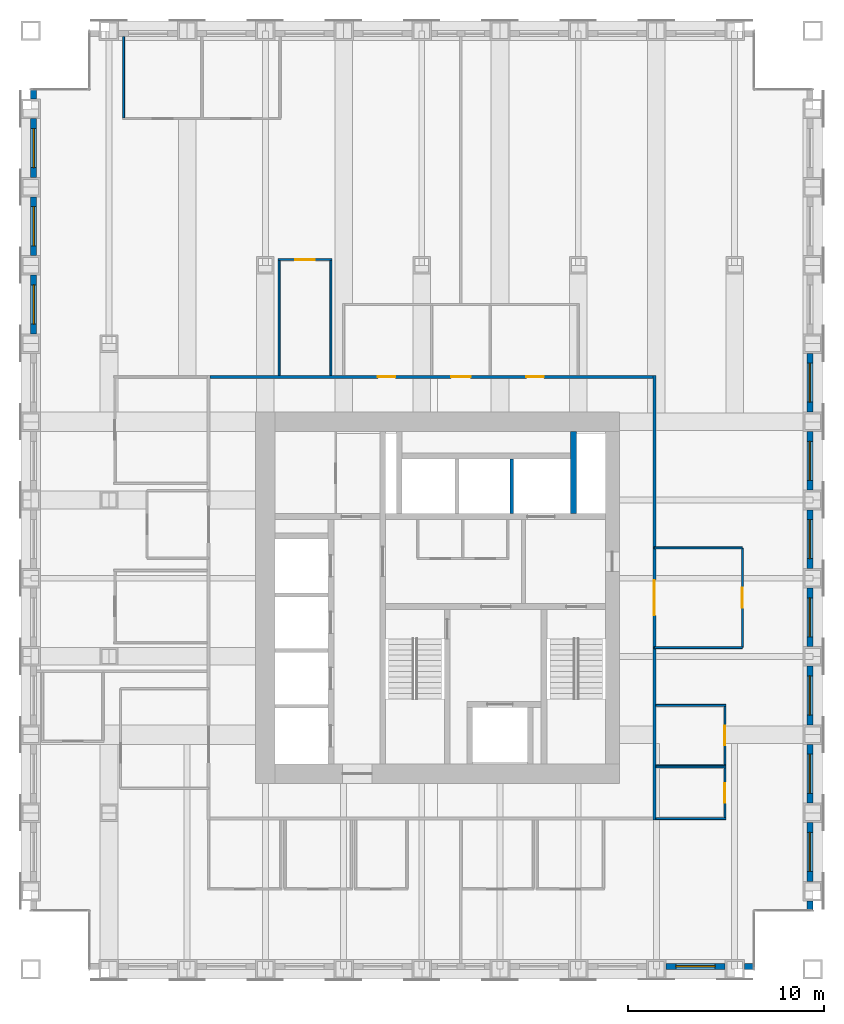
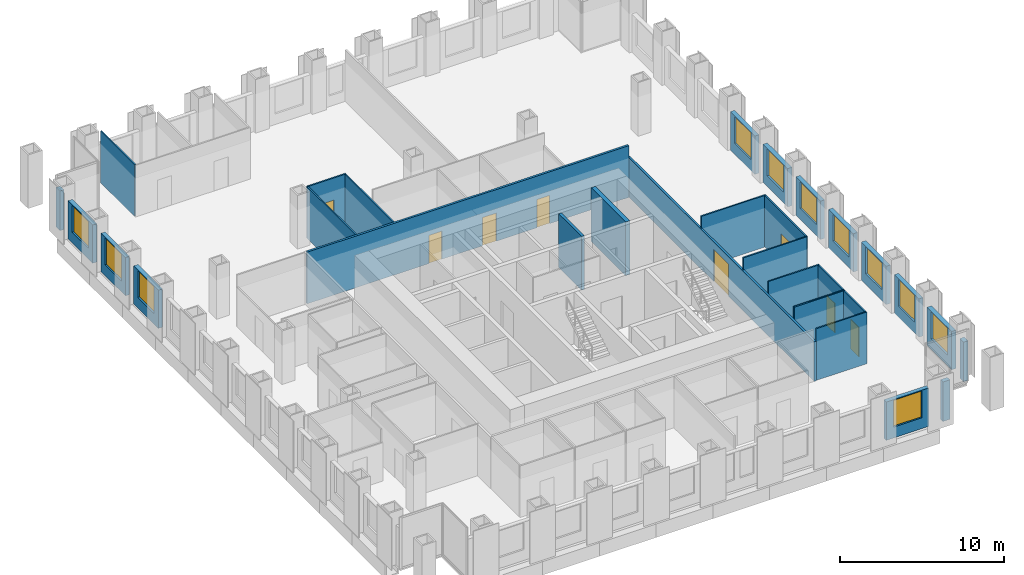
# One storey, part 11 of 14: 31 walls, 11 windows, 8 doors, 19 openings.
"""IFC4 building model written with IfcOpenShell, lengths in metres."""

from ifc_helpers import new_model, si_unit, direction, frame, frame_2d, origin, place, context, subcontext, project, spatial, rectangle, extrude, material, layer, layer_set, type_object, element, fill, save


model = new_model("IFC4")

# Units and contexts
model_context = context("Model", 3, precision=1e-05, world=origin(), true_north=direction((0.0, 1.0)))
body_context = subcontext(model_context, "Body", "Model", "MODEL_VIEW")
ifc_project = project(units=[si_unit("LENGTHUNIT", "METRE"), si_unit("AREAUNIT", "SQUARE_METRE"), si_unit("VOLUMEUNIT", "CUBIC_METRE"), si_unit("PLANEANGLEUNIT", "RADIAN"), si_unit("MASSUNIT", "GRAM", prefix="KILO")], contexts=[model_context])

# Site, building, storey
site_placement = place(None, origin())
site = spatial("IfcSite", under=ifc_project, at=site_placement, CompositionType="ELEMENT")
building_placement = place(site_placement, origin())
building = spatial("IfcBuilding", under=site, at=building_placement, Name="Rimbunsela Tower", CompositionType="ELEMENT")
storey_placement = place(building_placement, frame((0.0, 0.0, 183.800048828125)))
storey = spatial("IfcBuildingStorey", under=building, at=storey_placement, Name="L44", CompositionType="ELEMENT", Elevation=183.800048828125)

# Walls
ifc_material_1 = material(Name="Concrete fc' 80 MPa", Category="concrete")
ifc_layer_1 = layer(ifc_material_1, 0.300048828125)
ifc_layer_set_1 = layer_set([ifc_layer_1], Name="Core internal wall 300")
wall_type_1 = type_object("IfcWallType", Name="Core internal wall 300", PredefinedType="SHEAR", material=ifc_layer_set_1)
wall_1_placement = place(storey_placement, frame((33.75, 31.300048828125, -0.150146484375), z_axis=(0.0, 0.0, 1.0), x_axis=(0.0, 1.0, 0.0)))
element("IfcWall", 1, at=wall_1_placement, inside=storey, type_object=wall_type_1, Name="Riser wall", PredefinedType="SHEAR", context=body_context, shape_type="SweptSolid", body=[
    extrude(rectangle(XDim=4.199951171875, YDim=0.300048828125, at=frame_2d((2.10009765625, 0.0))), origin(), (0.0, 0.0, 1.0), 4.0),
])
ifc_material_2 = material(Name="Concrete blockwork", Category="masonry")
ifc_layer_2 = layer(ifc_material_2, 0.199951171875)
ifc_layer_set_2 = layer_set([ifc_layer_2], Name="Lift shaft wall 200")
wall_type_2 = type_object("IfcWallType", Name="Lift shaft wall 200", PredefinedType="SOLIDWALL", material=ifc_layer_set_2)
wall_2_placement = place(storey_placement, frame((30.60009765625, 31.300048828125, -0.150146484375), z_axis=(0.0, 0.0, 1.0), x_axis=(0.0, 1.0, 0.0)))
element("IfcWall", 2, at=wall_2_placement, inside=storey, type_object=wall_type_2, Name="Lift shaft separation", PredefinedType="SOLIDWALL", context=body_context, shape_type="SweptSolid", body=[
    extrude(rectangle(XDim=2.800048828125, YDim=0.199951171875, at=frame_2d((1.39990234375, 0.0))), origin(), (0.0, 0.0, 1.0), 4.0),
])
ifc_material_3 = material(Name="Gypsum board on steel studs", Category="steel")
ifc_layer_3 = layer(ifc_material_3, 0.10009765625)
ifc_layer_set_3 = layer_set([ifc_layer_3], Name="Office partition 100")
wall_type_3 = type_object("IfcWallType", Name="Office partition 100", PredefinedType="PARTITIONING", material=ifc_layer_set_3)
for number, where, z_axis, x_axis, name in (
    (3, (37.97509765625, 15.699951171875, 0.0), (0.0, 0.0, 1.0), (1.0, 0.0, 0.0), "Office partition"),
    (4, (37.97509765625, 18.35009765625, 0.0), (0.0, 0.0, 1.0), (1.0, 0.0, 0.0), "Office partition"),
    (5, (37.97509765625, 18.39990234375, 0.0), (0.0, 0.0, 1.0), (1.0, 0.0, 0.0), "Office partition"),
    (6, (37.97509765625, 21.5, 0.0), (0.0, 0.0, 1.0), (1.0, 0.0, 0.0), "Office partition"),
):
    element("IfcWall", number, at=place(storey_placement, frame(where, z_axis=z_axis, x_axis=x_axis)), inside=storey, type_object=wall_type_3, Name=name, PredefinedType="PARTITIONING", context=body_context, shape_type="SweptSolid", body=[
        extrude(rectangle(XDim=3.574951171875, YDim=0.10009765625, at=frame_2d((1.78759765625, 0.0))), origin(), (0.0, 0.0, 1.0), 3.849853515625),
    ])

# Wall, opening, door
wall_3_placement = place(storey_placement, frame((18.64990234375, 44.300048828125, 0.0), z_axis=(0.0, 0.0, 1.0), x_axis=(1.0, 0.0, 0.0)))
wall_3 = element("IfcWall", 7, at=wall_3_placement, inside=storey, type_object=wall_type_3, Name="Office partition", PredefinedType="PARTITIONING", context=body_context, shape_type="SweptSolid", body=[
    extrude(rectangle(XDim=2.75, YDim=0.10009765625, at=frame_2d((1.375, 0.0))), origin(), (0.0, 0.0, 1.0), 3.849853515625),
])
opening_1_placement = place(wall_3_placement, frame((0.875, 0.0, 0.0)))
opening_1 = element("IfcOpeningElement", 8, at=opening_1_placement, cuts=wall_3, Name="Opening D16", PredefinedType="OPENING", context=body_context, shape_type="SweptSolid", body=[
    extrude(rectangle(XDim=1.0, YDim=2.199951171875, at=frame_2d((0.5, 1.10009765625))), frame((0.0, 0.06005859375, 0.0), z_axis=(0.0, -1.0, 0.0), x_axis=(1.0, 0.0, 0.0)), (0.0, 0.0, 1.0), 0.1201171875),
])
ifc_material_4 = material(Name="Timber door", Category="wood")
door_type_1 = type_object("IfcDoorType", Name="Office door 1000", OperationType="SINGLE_SWING_LEFT", PredefinedType="DOOR", material=ifc_material_4)
door_1_placement = place(opening_1_placement, origin())
door_1 = element("IfcDoor", 9, at=door_1_placement, inside=storey, type_object=door_type_1, Name="Office door", OperationType="SINGLE_SWING_LEFT", OverallHeight=2.199951171875, OverallWidth=1.0, PredefinedType="DOOR", context=body_context, shape_type="SweptSolid", body=[
    extrude(rectangle(XDim=1.0, YDim=2.199951171875, at=frame_2d((0.5, 1.10009765625))), frame((0.0, 0.02490234375, 0.0), z_axis=(0.0, -1.0, 0.0), x_axis=(1.0, 0.0, 0.0)), (0.0, 0.0, 1.0), 0.050048828125),
])
fill(opening_1, door_1)

# Walls
wall_4_placement = place(storey_placement, frame((10.75, 51.550048828125, 0.0), z_axis=(0.0, 0.0, 1.0), x_axis=(0.0, 1.0, 0.0)))
element("IfcWall", 10, at=wall_4_placement, inside=storey, type_object=wall_type_3, Name="Office partition", PredefinedType="PARTITIONING", context=body_context, shape_type="SweptSolid", body=[
    extrude(rectangle(XDim=4.14990234375, YDim=0.10009765625, at=frame_2d((2.074951171875, 0.0))), origin(), (0.0, 0.0, 1.0), 3.849853515625),
])
for number, where, z_axis, x_axis, name in (
    (11, (18.699951171875, 38.375, 0.0), (0.0, 0.0, 1.0), (0.0, 1.0, 0.0), "Office partition"),
    (12, (21.35009765625, 38.375, 0.0), (0.0, 0.0, 1.0), (0.0, 1.0, 0.0), "Office partition"),
):
    element("IfcWall", number, at=place(storey_placement, frame(where, z_axis=z_axis, x_axis=x_axis)), inside=storey, type_object=wall_type_3, Name=name, PredefinedType="PARTITIONING", context=body_context, shape_type="SweptSolid", body=[
        extrude(rectangle(XDim=5.875, YDim=0.10009765625, at=frame_2d((2.9375, 0.0))), origin(), (0.0, 0.0, 1.0), 3.849853515625),
    ])

# Wall, opening, door
wall_5_placement = place(storey_placement, frame((41.5, 15.75, 0.0), z_axis=(0.0, 0.0, 1.0), x_axis=(0.0, 1.0, 0.0)))
wall_5 = element("IfcWall", 13, at=wall_5_placement, inside=storey, type_object=wall_type_3, Name="Office partition", PredefinedType="PARTITIONING", context=body_context, shape_type="SweptSolid", body=[
    extrude(rectangle(XDim=2.550048828125, YDim=0.10009765625, at=frame_2d((1.27490234375, 0.0))), origin(), (0.0, 0.0, 1.0), 3.849853515625),
])
opening_2_placement = place(wall_5_placement, frame((0.77490234375, 0.0, 0.0)))
opening_2 = element("IfcOpeningElement", 14, at=opening_2_placement, cuts=wall_5, Name="Opening D16", PredefinedType="OPENING", context=body_context, shape_type="SweptSolid", body=[
    extrude(rectangle(XDim=1.0, YDim=2.199951171875, at=frame_2d((0.5, 1.10009765625))), frame((0.0, 0.06005859375, 0.0), z_axis=(0.0, -1.0, 0.0), x_axis=(1.0, 0.0, 0.0)), (0.0, 0.0, 1.0), 0.1201171875),
])
door_2_placement = place(opening_2_placement, origin())
door_2 = element("IfcDoor", 15, at=door_2_placement, inside=storey, type_object=door_type_1, Name="Office door", OperationType="SINGLE_SWING_LEFT", OverallHeight=2.199951171875, OverallWidth=1.0, PredefinedType="DOOR", context=body_context, shape_type="SweptSolid", body=[
    extrude(rectangle(XDim=1.0, YDim=2.199951171875, at=frame_2d((0.5, 1.10009765625))), frame((0.0, 0.02490234375, 0.0), z_axis=(0.0, -1.0, 0.0), x_axis=(1.0, 0.0, 0.0)), (0.0, 0.0, 1.0), 0.050048828125),
])
fill(opening_2, door_2)

wall_6_placement = place(storey_placement, frame((41.5, 18.449951171875, 0.0), z_axis=(0.0, 0.0, 1.0), x_axis=(0.0, 1.0, 0.0)))
wall_6 = element("IfcWall", 16, at=wall_6_placement, inside=storey, type_object=wall_type_3, Name="Office partition", PredefinedType="PARTITIONING", context=body_context, shape_type="SweptSolid", body=[
    extrude(rectangle(XDim=3.0, YDim=0.10009765625, at=frame_2d((1.5, 0.0))), origin(), (0.0, 0.0, 1.0), 3.849853515625),
])
opening_3_placement = place(wall_6_placement, frame((1.0, 0.0, 0.0)))
opening_3 = element("IfcOpeningElement", 17, at=opening_3_placement, cuts=wall_6, Name="Opening D16", PredefinedType="OPENING", context=body_context, shape_type="SweptSolid", body=[
    extrude(rectangle(XDim=1.0, YDim=2.199951171875, at=frame_2d((0.5, 1.10009765625))), frame((0.0, 0.06005859375, 0.0), z_axis=(0.0, -1.0, 0.0), x_axis=(1.0, 0.0, 0.0)), (0.0, 0.0, 1.0), 0.1201171875),
])
door_3_placement = place(opening_3_placement, origin())
door_3 = element("IfcDoor", 18, at=door_3_placement, inside=storey, type_object=door_type_1, Name="Office door", OperationType="SINGLE_SWING_LEFT", OverallHeight=2.199951171875, OverallWidth=1.0, PredefinedType="DOOR", context=body_context, shape_type="SweptSolid", body=[
    extrude(rectangle(XDim=1.0, YDim=2.199951171875, at=frame_2d((0.5, 1.10009765625))), frame((0.0, 0.02490234375, 0.0), z_axis=(0.0, -1.0, 0.0), x_axis=(1.0, 0.0, 0.0)), (0.0, 0.0, 1.0), 0.050048828125),
])
fill(opening_3, door_3)

# Wall
wall_7_placement = place(storey_placement, frame((37.89990234375, 24.449951171875, 0.0), z_axis=(0.0, 0.0, 1.0), x_axis=(1.0, 0.0, 0.0)))
element("IfcWall", 19, at=wall_7_placement, inside=storey, type_object=wall_type_3, Name="Office partition", PredefinedType="PARTITIONING", context=body_context, shape_type="SweptSolid", body=[
    extrude(rectangle(XDim=4.5, YDim=0.10009765625, at=frame_2d((2.25, 0.0))), origin(), (0.0, 0.0, 1.0), 3.849853515625),
])

# Wall, opening, door
wall_8_placement = place(storey_placement, frame((42.39990234375, 24.449951171875, 0.0), z_axis=(0.0, 0.0, 1.0), x_axis=(0.0, 1.0, 0.0)))
wall_8 = element("IfcWall", 20, at=wall_8_placement, inside=storey, type_object=wall_type_3, Name="Office partition", PredefinedType="PARTITIONING", context=body_context, shape_type="SweptSolid", body=[
    extrude(rectangle(XDim=5.10009765625, YDim=0.10009765625, at=frame_2d((2.550048828125, 0.0))), origin(), (0.0, 0.0, 1.0), 3.849853515625),
])
opening_4_placement = place(wall_8_placement, frame((2.050048828125, 0.0, 0.0)))
opening_4 = element("IfcOpeningElement", 21, at=opening_4_placement, cuts=wall_8, Name="Opening D17", PredefinedType="OPENING", context=body_context, shape_type="SweptSolid", body=[
    extrude(rectangle(XDim=1.0, YDim=2.199951171875, at=frame_2d((0.5, 1.10009765625))), frame((0.0, 0.06005859375, 0.0), z_axis=(0.0, -1.0, 0.0), x_axis=(1.0, 0.0, 0.0)), (0.0, 0.0, 1.0), 0.1201171875),
])
ifc_material_5 = material(Name="Glazed aluminium door", Category="aluminium")
door_type_2 = type_object("IfcDoorType", Name="Meeting room door 1000 glazed", OperationType="SINGLE_SWING_RIGHT", PredefinedType="DOOR", material=ifc_material_5)
door_4_placement = place(opening_4_placement, origin())
door_4 = element("IfcDoor", 22, at=door_4_placement, inside=storey, type_object=door_type_2, Name="Reception door", OperationType="SINGLE_SWING_RIGHT", OverallHeight=2.199951171875, OverallWidth=1.0, PredefinedType="DOOR", context=body_context, shape_type="SweptSolid", body=[
    extrude(rectangle(XDim=1.0, YDim=2.199951171875, at=frame_2d((0.5, 1.10009765625))), frame((0.0, 0.02490234375, 0.0), z_axis=(0.0, -1.0, 0.0), x_axis=(1.0, 0.0, 0.0)), (0.0, 0.0, 1.0), 0.050048828125),
])
fill(opening_4, door_4)

# Wall
wall_9_placement = place(storey_placement, frame((42.39990234375, 29.550048828125, 0.0), z_axis=(0.0, 0.0, 1.0), x_axis=(-1.0, 0.0, 0.0)))
element("IfcWall", 23, at=wall_9_placement, inside=storey, type_object=wall_type_3, Name="Office partition", PredefinedType="PARTITIONING", context=body_context, shape_type="SweptSolid", body=[
    extrude(rectangle(XDim=4.5, YDim=0.10009765625, at=frame_2d((2.25, 0.0))), origin(), (0.0, 0.0, 1.0), 3.849853515625),
])

# Wall, opening, window
ifc_material_6 = material(Name="Precast concrete fc' 35 MPa", Category="concrete")
ifc_layer_4 = layer(ifc_material_6, 0.300048828125)
ifc_layer_set_4 = layer_set([ifc_layer_4], Name="Precast concrete fc' 35 MPa")
wall_type_4 = type_object("IfcWallType", Name="Precast facade panel 300", PredefinedType="ELEMENTEDWALL", material=ifc_layer_set_4)
wall_10_placement = place(storey_placement, frame((38.5, 8.14990234375, 0.0), z_axis=(0.0, 0.0, 1.0), x_axis=(1.0, 0.0, 0.0)))
wall_10 = element("IfcWall", 24, at=wall_10_placement, inside=storey, type_object=wall_type_4, Name="Facade panel S L44", PredefinedType="ELEMENTEDWALL", context=body_context, shape_type="SweptSolid", body=[
    extrude(rectangle(XDim=3.0, YDim=0.300048828125, at=frame_2d((1.5, 0.0))), origin(), (0.0, 0.0, 1.0), 2.849853515625),
])
opening_5_placement = place(wall_10_placement, frame((0.5, 0.0, 0.800048828125)))
opening_5 = element("IfcOpeningElement", 25, at=opening_5_placement, cuts=wall_10, Name="Opening W1", PredefinedType="OPENING", context=body_context, shape_type="SweptSolid", body=[
    extrude(rectangle(XDim=2.0, YDim=2.0, at=frame_2d((1.0, 1.0))), frame((0.0, 0.159912109375, 0.0), z_axis=(0.0, -1.0, 0.0), x_axis=(1.0, 0.0, 0.0)), (0.0, 0.0, 1.0), 0.320068359375),
])
ifc_material_7 = material(Name="Clear glass in aluminium frame", Category="aluminium")
window_type = type_object("IfcWindowType", Name="Window W1 2000x2000", PartitioningType="DOUBLE_PANEL_VERTICAL", PredefinedType="WINDOW", material=ifc_material_7)
window_1_placement = place(opening_5_placement, origin())
window_1 = element("IfcWindow", 26, at=window_1_placement, inside=storey, type_object=window_type, Name="Window L44", OverallHeight=2.0, OverallWidth=2.0, PartitioningType="SINGLE_PANEL", PredefinedType="WINDOW", context=body_context, shape_type="SweptSolid", body=[
    extrude(rectangle(XDim=2.0, YDim=2.0, at=frame_2d((1.0, 1.0))), frame((0.0, 0.030029296875, 0.0), z_axis=(0.0, -1.0, 0.0), x_axis=(1.0, 0.0, 0.0)), (0.0, 0.0, 1.0), 0.06005859375),
])
fill(opening_5, window_1)

# Walls
for number, where, z_axis, x_axis, name in (
    (27, (42.5, 8.14990234375, 0.0), (0.0, 0.0, 1.0), (1.0, 0.0, 0.0), "Facade panel S L44"),
    (28, (45.85009765625, 11.030029296875, 0.0), (0.0, 0.0, 1.0), (0.0, 1.0, 0.0), "Facade panel E L44"),
):
    element("IfcWall", number, at=place(storey_placement, frame(where, z_axis=z_axis, x_axis=x_axis)), inside=storey, type_object=wall_type_4, Name=name, PredefinedType="ELEMENTEDWALL", context=body_context, shape_type="SweptSolid", body=[
        extrude(rectangle(XDim=0.469970703125, YDim=0.300048828125, at=frame_2d((0.23486328125, 0.0))), origin(), (0.0, 0.0, 1.0), 2.949951171875),
    ])

# Wall, opening, window
wall_11_placement = place(storey_placement, frame((45.85009765625, 12.5, 0.0), z_axis=(0.0, 0.0, 1.0), x_axis=(0.0, 1.0, 0.0)))
wall_11 = element("IfcWall", 29, at=wall_11_placement, inside=storey, type_object=wall_type_4, Name="Facade panel E L44", PredefinedType="ELEMENTEDWALL", context=body_context, shape_type="SweptSolid", body=[
    extrude(rectangle(XDim=3.0, YDim=0.300048828125, at=frame_2d((1.5, 0.0))), origin(), (0.0, 0.0, 1.0), 2.849853515625),
])
opening_6_placement = place(wall_11_placement, frame((0.5, 0.0, 0.800048828125)))
opening_6 = element("IfcOpeningElement", 30, at=opening_6_placement, cuts=wall_11, Name="Opening W1", PredefinedType="OPENING", context=body_context, shape_type="SweptSolid", body=[
    extrude(rectangle(XDim=2.0, YDim=2.0, at=frame_2d((1.0, 1.0))), frame((0.0, 0.159912109375, 0.0), z_axis=(0.0, -1.0, 0.0), x_axis=(1.0, 0.0, 0.0)), (0.0, 0.0, 1.0), 0.320068359375),
])
window_2_placement = place(opening_6_placement, origin())
window_2 = element("IfcWindow", 31, at=window_2_placement, inside=storey, type_object=window_type, Name="Window L44", OverallHeight=2.0, OverallWidth=2.0, PartitioningType="SINGLE_PANEL", PredefinedType="WINDOW", context=body_context, shape_type="SweptSolid", body=[
    extrude(rectangle(XDim=2.0, YDim=2.0, at=frame_2d((1.0, 1.0))), frame((0.0, 0.030029296875, 0.0), z_axis=(0.0, -1.0, 0.0), x_axis=(1.0, 0.0, 0.0)), (0.0, 0.0, 1.0), 0.06005859375),
])
fill(opening_6, window_2)

wall_12_placement = place(storey_placement, frame((45.85009765625, 16.5, 0.0), z_axis=(0.0, 0.0, 1.0), x_axis=(0.0, 1.0, 0.0)))
wall_12 = element("IfcWall", 32, at=wall_12_placement, inside=storey, type_object=wall_type_4, Name="Facade panel E L44", PredefinedType="ELEMENTEDWALL", context=body_context, shape_type="SweptSolid", body=[
    extrude(rectangle(XDim=3.0, YDim=0.300048828125, at=frame_2d((1.5, 0.0))), origin(), (0.0, 0.0, 1.0), 2.849853515625),
])
opening_7_placement = place(wall_12_placement, frame((0.5, 0.0, 0.800048828125)))
opening_7 = element("IfcOpeningElement", 33, at=opening_7_placement, cuts=wall_12, Name="Opening W1", PredefinedType="OPENING", context=body_context, shape_type="SweptSolid", body=[
    extrude(rectangle(XDim=2.0, YDim=2.0, at=frame_2d((1.0, 1.0))), frame((0.0, 0.159912109375, 0.0), z_axis=(0.0, -1.0, 0.0), x_axis=(1.0, 0.0, 0.0)), (0.0, 0.0, 1.0), 0.320068359375),
])
window_3_placement = place(opening_7_placement, origin())
window_3 = element("IfcWindow", 34, at=window_3_placement, inside=storey, type_object=window_type, Name="Window L44", OverallHeight=2.0, OverallWidth=2.0, PartitioningType="SINGLE_PANEL", PredefinedType="WINDOW", context=body_context, shape_type="SweptSolid", body=[
    extrude(rectangle(XDim=2.0, YDim=2.0, at=frame_2d((1.0, 1.0))), frame((0.0, 0.030029296875, 0.0), z_axis=(0.0, -1.0, 0.0), x_axis=(1.0, 0.0, 0.0)), (0.0, 0.0, 1.0), 0.06005859375),
])
fill(opening_7, window_3)

wall_13_placement = place(storey_placement, frame((45.85009765625, 20.5, 0.0), z_axis=(0.0, 0.0, 1.0), x_axis=(0.0, 1.0, 0.0)))
wall_13 = element("IfcWall", 35, at=wall_13_placement, inside=storey, type_object=wall_type_4, Name="Facade panel E L44", PredefinedType="ELEMENTEDWALL", context=body_context, shape_type="SweptSolid", body=[
    extrude(rectangle(XDim=3.0, YDim=0.300048828125, at=frame_2d((1.5, 0.0))), origin(), (0.0, 0.0, 1.0), 2.849853515625),
])
opening_8_placement = place(wall_13_placement, frame((0.5, 0.0, 0.800048828125)))
opening_8 = element("IfcOpeningElement", 36, at=opening_8_placement, cuts=wall_13, Name="Opening W1", PredefinedType="OPENING", context=body_context, shape_type="SweptSolid", body=[
    extrude(rectangle(XDim=2.0, YDim=2.0, at=frame_2d((1.0, 1.0))), frame((0.0, 0.159912109375, 0.0), z_axis=(0.0, -1.0, 0.0), x_axis=(1.0, 0.0, 0.0)), (0.0, 0.0, 1.0), 0.320068359375),
])
window_4_placement = place(opening_8_placement, origin())
window_4 = element("IfcWindow", 37, at=window_4_placement, inside=storey, type_object=window_type, Name="Window L44", OverallHeight=2.0, OverallWidth=2.0, PartitioningType="SINGLE_PANEL", PredefinedType="WINDOW", context=body_context, shape_type="SweptSolid", body=[
    extrude(rectangle(XDim=2.0, YDim=2.0, at=frame_2d((1.0, 1.0))), frame((0.0, 0.030029296875, 0.0), z_axis=(0.0, -1.0, 0.0), x_axis=(1.0, 0.0, 0.0)), (0.0, 0.0, 1.0), 0.06005859375),
])
fill(opening_8, window_4)

wall_14_placement = place(storey_placement, frame((45.85009765625, 24.5, 0.0), z_axis=(0.0, 0.0, 1.0), x_axis=(0.0, 1.0, 0.0)))
wall_14 = element("IfcWall", 38, at=wall_14_placement, inside=storey, type_object=wall_type_4, Name="Facade panel E L44", PredefinedType="ELEMENTEDWALL", context=body_context, shape_type="SweptSolid", body=[
    extrude(rectangle(XDim=3.0, YDim=0.300048828125, at=frame_2d((1.5, 0.0))), origin(), (0.0, 0.0, 1.0), 2.849853515625),
])
opening_9_placement = place(wall_14_placement, frame((0.5, 0.0, 0.800048828125)))
opening_9 = element("IfcOpeningElement", 39, at=opening_9_placement, cuts=wall_14, Name="Opening W1", PredefinedType="OPENING", context=body_context, shape_type="SweptSolid", body=[
    extrude(rectangle(XDim=2.0, YDim=2.0, at=frame_2d((1.0, 1.0))), frame((0.0, 0.159912109375, 0.0), z_axis=(0.0, -1.0, 0.0), x_axis=(1.0, 0.0, 0.0)), (0.0, 0.0, 1.0), 0.320068359375),
])
window_5_placement = place(opening_9_placement, origin())
window_5 = element("IfcWindow", 40, at=window_5_placement, inside=storey, type_object=window_type, Name="Window L44", OverallHeight=2.0, OverallWidth=2.0, PartitioningType="SINGLE_PANEL", PredefinedType="WINDOW", context=body_context, shape_type="SweptSolid", body=[
    extrude(rectangle(XDim=2.0, YDim=2.0, at=frame_2d((1.0, 1.0))), frame((0.0, 0.030029296875, 0.0), z_axis=(0.0, -1.0, 0.0), x_axis=(1.0, 0.0, 0.0)), (0.0, 0.0, 1.0), 0.06005859375),
])
fill(opening_9, window_5)

wall_15_placement = place(storey_placement, frame((45.85009765625, 28.5, 0.0), z_axis=(0.0, 0.0, 1.0), x_axis=(0.0, 1.0, 0.0)))
wall_15 = element("IfcWall", 41, at=wall_15_placement, inside=storey, type_object=wall_type_4, Name="Facade panel E L44", PredefinedType="ELEMENTEDWALL", context=body_context, shape_type="SweptSolid", body=[
    extrude(rectangle(XDim=3.0, YDim=0.300048828125, at=frame_2d((1.5, 0.0))), origin(), (0.0, 0.0, 1.0), 2.849853515625),
])
opening_10_placement = place(wall_15_placement, frame((0.5, 0.0, 0.800048828125)))
opening_10 = element("IfcOpeningElement", 42, at=opening_10_placement, cuts=wall_15, Name="Opening W1", PredefinedType="OPENING", context=body_context, shape_type="SweptSolid", body=[
    extrude(rectangle(XDim=2.0, YDim=2.0, at=frame_2d((1.0, 1.0))), frame((0.0, 0.159912109375, 0.0), z_axis=(0.0, -1.0, 0.0), x_axis=(1.0, 0.0, 0.0)), (0.0, 0.0, 1.0), 0.320068359375),
])
window_6_placement = place(opening_10_placement, origin())
window_6 = element("IfcWindow", 43, at=window_6_placement, inside=storey, type_object=window_type, Name="Window L44", OverallHeight=2.0, OverallWidth=2.0, PartitioningType="SINGLE_PANEL", PredefinedType="WINDOW", context=body_context, shape_type="SweptSolid", body=[
    extrude(rectangle(XDim=2.0, YDim=2.0, at=frame_2d((1.0, 1.0))), frame((0.0, 0.030029296875, 0.0), z_axis=(0.0, -1.0, 0.0), x_axis=(1.0, 0.0, 0.0)), (0.0, 0.0, 1.0), 0.06005859375),
])
fill(opening_10, window_6)

wall_16_placement = place(storey_placement, frame((45.85009765625, 32.5, 0.0), z_axis=(0.0, 0.0, 1.0), x_axis=(0.0, 1.0, 0.0)))
wall_16 = element("IfcWall", 44, at=wall_16_placement, inside=storey, type_object=wall_type_4, Name="Facade panel E L44", PredefinedType="ELEMENTEDWALL", context=body_context, shape_type="SweptSolid", body=[
    extrude(rectangle(XDim=3.0, YDim=0.300048828125, at=frame_2d((1.5, 0.0))), origin(), (0.0, 0.0, 1.0), 2.849853515625),
])
opening_11_placement = place(wall_16_placement, frame((0.5, 0.0, 0.800048828125)))
opening_11 = element("IfcOpeningElement", 45, at=opening_11_placement, cuts=wall_16, Name="Opening W1", PredefinedType="OPENING", context=body_context, shape_type="SweptSolid", body=[
    extrude(rectangle(XDim=2.0, YDim=2.0, at=frame_2d((1.0, 1.0))), frame((0.0, 0.159912109375, 0.0), z_axis=(0.0, -1.0, 0.0), x_axis=(1.0, 0.0, 0.0)), (0.0, 0.0, 1.0), 0.320068359375),
])
window_7_placement = place(opening_11_placement, origin())
window_7 = element("IfcWindow", 46, at=window_7_placement, inside=storey, type_object=window_type, Name="Window L44", OverallHeight=2.0, OverallWidth=2.0, PartitioningType="SINGLE_PANEL", PredefinedType="WINDOW", context=body_context, shape_type="SweptSolid", body=[
    extrude(rectangle(XDim=2.0, YDim=2.0, at=frame_2d((1.0, 1.0))), frame((0.0, 0.030029296875, 0.0), z_axis=(0.0, -1.0, 0.0), x_axis=(1.0, 0.0, 0.0)), (0.0, 0.0, 1.0), 0.06005859375),
])
fill(opening_11, window_7)

wall_17_placement = place(storey_placement, frame((45.85009765625, 36.5, 0.0), z_axis=(0.0, 0.0, 1.0), x_axis=(0.0, 1.0, 0.0)))
wall_17 = element("IfcWall", 47, at=wall_17_placement, inside=storey, type_object=wall_type_4, Name="Facade panel E L44", PredefinedType="ELEMENTEDWALL", context=body_context, shape_type="SweptSolid", body=[
    extrude(rectangle(XDim=3.0, YDim=0.300048828125, at=frame_2d((1.5, 0.0))), origin(), (0.0, 0.0, 1.0), 2.849853515625),
])
opening_12_placement = place(wall_17_placement, frame((0.5, 0.0, 0.800048828125)))
opening_12 = element("IfcOpeningElement", 48, at=opening_12_placement, cuts=wall_17, Name="Opening W1", PredefinedType="OPENING", context=body_context, shape_type="SweptSolid", body=[
    extrude(rectangle(XDim=2.0, YDim=2.0, at=frame_2d((1.0, 1.0))), frame((0.0, 0.159912109375, 0.0), z_axis=(0.0, -1.0, 0.0), x_axis=(1.0, 0.0, 0.0)), (0.0, 0.0, 1.0), 0.320068359375),
])
window_8_placement = place(opening_12_placement, origin())
window_8 = element("IfcWindow", 49, at=window_8_placement, inside=storey, type_object=window_type, Name="Window L44", OverallHeight=2.0, OverallWidth=2.0, PartitioningType="SINGLE_PANEL", PredefinedType="WINDOW", context=body_context, shape_type="SweptSolid", body=[
    extrude(rectangle(XDim=2.0, YDim=2.0, at=frame_2d((1.0, 1.0))), frame((0.0, 0.030029296875, 0.0), z_axis=(0.0, -1.0, 0.0), x_axis=(1.0, 0.0, 0.0)), (0.0, 0.0, 1.0), 0.06005859375),
])
fill(opening_12, window_8)

wall_18_placement = place(storey_placement, frame((6.14990234375, 43.5, 0.0), z_axis=(0.0, 0.0, 1.0), x_axis=(0.0, -1.0, 0.0)))
wall_18 = element("IfcWall", 50, at=wall_18_placement, inside=storey, type_object=wall_type_4, Name="Facade panel W L44", PredefinedType="ELEMENTEDWALL", context=body_context, shape_type="SweptSolid", body=[
    extrude(rectangle(XDim=3.0, YDim=0.300048828125, at=frame_2d((1.5, 0.0))), origin(), (0.0, 0.0, 1.0), 2.849853515625),
])
opening_13_placement = place(wall_18_placement, frame((0.5, 0.0, 0.800048828125)))
opening_13 = element("IfcOpeningElement", 51, at=opening_13_placement, cuts=wall_18, Name="Opening W1", PredefinedType="OPENING", context=body_context, shape_type="SweptSolid", body=[
    extrude(rectangle(XDim=2.0, YDim=2.0, at=frame_2d((1.0, 1.0))), frame((0.0, 0.159912109375, 0.0), z_axis=(0.0, -1.0, 0.0), x_axis=(1.0, 0.0, 0.0)), (0.0, 0.0, 1.0), 0.320068359375),
])
window_9_placement = place(opening_13_placement, origin())
window_9 = element("IfcWindow", 52, at=window_9_placement, inside=storey, type_object=window_type, Name="Window L44", OverallHeight=2.0, OverallWidth=2.0, PartitioningType="SINGLE_PANEL", PredefinedType="WINDOW", context=body_context, shape_type="SweptSolid", body=[
    extrude(rectangle(XDim=2.0, YDim=2.0, at=frame_2d((1.0, 1.0))), frame((0.0, 0.030029296875, 0.0), z_axis=(0.0, -1.0, 0.0), x_axis=(1.0, 0.0, 0.0)), (0.0, 0.0, 1.0), 0.06005859375),
])
fill(opening_13, window_9)

wall_19_placement = place(storey_placement, frame((6.14990234375, 47.5, 0.0), z_axis=(0.0, 0.0, 1.0), x_axis=(0.0, -1.0, 0.0)))
wall_19 = element("IfcWall", 53, at=wall_19_placement, inside=storey, type_object=wall_type_4, Name="Facade panel W L44", PredefinedType="ELEMENTEDWALL", context=body_context, shape_type="SweptSolid", body=[
    extrude(rectangle(XDim=3.0, YDim=0.300048828125, at=frame_2d((1.5, 0.0))), origin(), (0.0, 0.0, 1.0), 2.849853515625),
])
opening_14_placement = place(wall_19_placement, frame((0.5, 0.0, 0.800048828125)))
opening_14 = element("IfcOpeningElement", 54, at=opening_14_placement, cuts=wall_19, Name="Opening W1", PredefinedType="OPENING", context=body_context, shape_type="SweptSolid", body=[
    extrude(rectangle(XDim=2.0, YDim=2.0, at=frame_2d((1.0, 1.0))), frame((0.0, 0.159912109375, 0.0), z_axis=(0.0, -1.0, 0.0), x_axis=(1.0, 0.0, 0.0)), (0.0, 0.0, 1.0), 0.320068359375),
])
window_10_placement = place(opening_14_placement, origin())
window_10 = element("IfcWindow", 55, at=window_10_placement, inside=storey, type_object=window_type, Name="Window L44", OverallHeight=2.0, OverallWidth=2.0, PartitioningType="SINGLE_PANEL", PredefinedType="WINDOW", context=body_context, shape_type="SweptSolid", body=[
    extrude(rectangle(XDim=2.0, YDim=2.0, at=frame_2d((1.0, 1.0))), frame((0.0, 0.030029296875, 0.0), z_axis=(0.0, -1.0, 0.0), x_axis=(1.0, 0.0, 0.0)), (0.0, 0.0, 1.0), 0.06005859375),
])
fill(opening_14, window_10)

wall_20_placement = place(storey_placement, frame((6.14990234375, 51.5, 0.0), z_axis=(0.0, 0.0, 1.0), x_axis=(0.0, -1.0, 0.0)))
wall_20 = element("IfcWall", 56, at=wall_20_placement, inside=storey, type_object=wall_type_4, Name="Facade panel W L44", PredefinedType="ELEMENTEDWALL", context=body_context, shape_type="SweptSolid", body=[
    extrude(rectangle(XDim=3.0, YDim=0.300048828125, at=frame_2d((1.5, 0.0))), origin(), (0.0, 0.0, 1.0), 2.849853515625),
])
opening_15_placement = place(wall_20_placement, frame((0.5, 0.0, 0.800048828125)))
opening_15 = element("IfcOpeningElement", 57, at=opening_15_placement, cuts=wall_20, Name="Opening W1", PredefinedType="OPENING", context=body_context, shape_type="SweptSolid", body=[
    extrude(rectangle(XDim=2.0, YDim=2.0, at=frame_2d((1.0, 1.0))), frame((0.0, 0.159912109375, 0.0), z_axis=(0.0, -1.0, 0.0), x_axis=(1.0, 0.0, 0.0)), (0.0, 0.0, 1.0), 0.320068359375),
])
window_11_placement = place(opening_15_placement, origin())
window_11 = element("IfcWindow", 58, at=window_11_placement, inside=storey, type_object=window_type, Name="Window L44", OverallHeight=2.0, OverallWidth=2.0, PartitioningType="SINGLE_PANEL", PredefinedType="WINDOW", context=body_context, shape_type="SweptSolid", body=[
    extrude(rectangle(XDim=2.0, YDim=2.0, at=frame_2d((1.0, 1.0))), frame((0.0, 0.030029296875, 0.0), z_axis=(0.0, -1.0, 0.0), x_axis=(1.0, 0.0, 0.0)), (0.0, 0.0, 1.0), 0.06005859375),
])
fill(opening_15, window_11)

# Wall
wall_21_placement = place(storey_placement, frame((6.14990234375, 52.969970703125, 0.0), z_axis=(0.0, 0.0, 1.0), x_axis=(0.0, -1.0, 0.0)))
element("IfcWall", 59, at=wall_21_placement, inside=storey, type_object=wall_type_4, Name="Facade panel W L44", PredefinedType="ELEMENTEDWALL", context=body_context, shape_type="SweptSolid", body=[
    extrude(rectangle(XDim=0.469970703125, YDim=0.300048828125, at=frame_2d((0.23486328125, 0.0))), origin(), (0.0, 0.0, 1.0), 2.949951171875),
])

# Wall, opening, door
ifc_material_8 = material(Name="Fire-rated gypsum board on steel studs, EI 60", Category="steel")
ifc_layer_5 = layer(ifc_material_8, 0.14990234375)
ifc_layer_set_5 = layer_set([ifc_layer_5], Name="Rated corridor wall 150")
wall_type_5 = type_object("IfcWallType", Name="Rated corridor wall 150", PredefinedType="PARTITIONING", material=ifc_layer_set_5)
wall_22_placement = place(storey_placement, frame((37.89990234375, 15.625, 0.0), z_axis=(0.0, 0.0, 1.0), x_axis=(0.0, 1.0, 0.0)))
wall_22 = element("IfcWall", 60, at=wall_22_placement, inside=storey, type_object=wall_type_5, Name="Corridor wall east", PredefinedType="PARTITIONING", context=body_context, shape_type="SweptSolid", body=[
    extrude(rectangle(XDim=22.75, YDim=0.14990234375, at=frame_2d((11.375, 0.0))), origin(), (0.0, 0.0, 1.0), 2.949951171875),
])
opening_16_placement = place(wall_22_placement, frame((10.47509765625, 0.0, 0.0)))
opening_16 = element("IfcOpeningElement", 61, at=opening_16_placement, cuts=wall_22, Name="Opening D09", PredefinedType="OPENING", context=body_context, shape_type="SweptSolid", body=[
    extrude(rectangle(XDim=1.800048828125, YDim=2.39990234375, at=frame_2d((0.89990234375, 1.199951171875))), frame((0.0, 0.0849609375, 0.0), z_axis=(0.0, -1.0, 0.0), x_axis=(1.0, 0.0, 0.0)), (0.0, 0.0, 1.0), 0.169921875),
])
ifc_material_9 = material(Name="Glazed aluminium door, fire rated", Category="aluminium")
door_type_3 = type_object("IfcDoorType", Name="Tenancy door 1800 glazed", OperationType="DOUBLE_DOOR_DOUBLE_SWING", PredefinedType="DOOR", material=ifc_material_9)
door_5_placement = place(opening_16_placement, origin())
door_5 = element("IfcDoor", 62, at=door_5_placement, inside=storey, type_object=door_type_3, Name="Tenancy door", OperationType="DOUBLE_DOOR_DOUBLE_SWING", OverallHeight=2.39990234375, OverallWidth=1.800048828125, PredefinedType="DOOR", context=body_context, shape_type="SweptSolid", body=[
    extrude(rectangle(XDim=1.800048828125, YDim=2.39990234375, at=frame_2d((0.89990234375, 1.199951171875))), frame((0.0, 0.02490234375, 0.0), z_axis=(0.0, -1.0, 0.0), x_axis=(1.0, 0.0, 0.0)), (0.0, 0.0, 1.0), 0.050048828125),
])
fill(opening_16, door_5)

# Wall, openings, doors
wall_23_placement = place(storey_placement, frame((15.175048828125, 38.300048828125, 0.0), z_axis=(0.0, 0.0, 1.0), x_axis=(1.0, 0.0, 0.0)))
wall_23 = element("IfcWall", 63, at=wall_23_placement, inside=storey, type_object=wall_type_5, Name="Corridor wall north", PredefinedType="PARTITIONING", context=body_context, shape_type="SweptSolid", body=[
    extrude(rectangle(XDim=22.64990234375, YDim=0.14990234375, at=frame_2d((11.324951171875, 0.0))), origin(), (0.0, 0.0, 1.0), 3.849853515625),
])
opening_17_placement = place(wall_23_placement, frame((8.574951171875, 0.0, 0.0)))
opening_17 = element("IfcOpeningElement", 64, at=opening_17_placement, cuts=wall_23, Name="Opening D04", PredefinedType="OPENING", context=body_context, shape_type="SweptSolid", body=[
    extrude(rectangle(XDim=0.89990234375, YDim=2.10009765625, at=frame_2d((0.449951171875, 1.050048828125))), frame((0.0, 0.0849609375, 0.0), z_axis=(0.0, -1.0, 0.0), x_axis=(1.0, 0.0, 0.0)), (0.0, 0.0, 1.0), 0.169921875),
])
opening_18_placement = place(wall_23_placement, frame((12.324951171875, 0.0, 0.0)))
opening_18 = element("IfcOpeningElement", 65, at=opening_18_placement, cuts=wall_23, Name="Opening D05", PredefinedType="OPENING", context=body_context, shape_type="SweptSolid", body=[
    extrude(rectangle(XDim=1.0, YDim=2.10009765625, at=frame_2d((0.5, 1.050048828125))), frame((0.0, 0.0849609375, 0.0), z_axis=(0.0, -1.0, 0.0), x_axis=(1.0, 0.0, 0.0)), (0.0, 0.0, 1.0), 0.169921875),
])
opening_19_placement = place(wall_23_placement, frame((16.175048828125, 0.0, 0.0)))
opening_19 = element("IfcOpeningElement", 66, at=opening_19_placement, cuts=wall_23, Name="Opening D04", PredefinedType="OPENING", context=body_context, shape_type="SweptSolid", body=[
    extrude(rectangle(XDim=0.89990234375, YDim=2.10009765625, at=frame_2d((0.449951171875, 1.050048828125))), frame((0.0, 0.0849609375, 0.0), z_axis=(0.0, -1.0, 0.0), x_axis=(1.0, 0.0, 0.0)), (0.0, 0.0, 1.0), 0.169921875),
])
ifc_material_10 = material(Name="Timber door", Category="wood")
door_type_4 = type_object("IfcDoorType", Name="Accessible WC door 1000", OperationType="SLIDING_TO_LEFT", PredefinedType="DOOR", material=ifc_material_10)
door_6_placement = place(opening_18_placement, origin())
door_6 = element("IfcDoor", 67, at=door_6_placement, inside=storey, type_object=door_type_4, Name="Accessible WC door", OperationType="SLIDING_TO_LEFT", OverallHeight=2.10009765625, OverallWidth=1.0, PredefinedType="DOOR", context=body_context, shape_type="SweptSolid", body=[
    extrude(rectangle(XDim=1.0, YDim=2.10009765625, at=frame_2d((0.5, 1.050048828125))), frame((0.0, 0.02490234375, 0.0), z_axis=(0.0, -1.0, 0.0), x_axis=(1.0, 0.0, 0.0)), (0.0, 0.0, 1.0), 0.050048828125),
])
fill(opening_18, door_6)
ifc_material_11 = material(Name="Timber door", Category="wood")
door_type_5 = type_object("IfcDoorType", Name="Toilet door 900", OperationType="SINGLE_SWING_LEFT", PredefinedType="DOOR", material=ifc_material_11)
door_7_placement = place(opening_17_placement, origin())
door_7 = element("IfcDoor", 68, at=door_7_placement, inside=storey, type_object=door_type_5, Name="Female WC door", OperationType="SINGLE_SWING_LEFT", OverallHeight=2.10009765625, OverallWidth=0.89990234375, PredefinedType="DOOR", context=body_context, shape_type="SweptSolid", body=[
    extrude(rectangle(XDim=0.89990234375, YDim=2.10009765625, at=frame_2d((0.449951171875, 1.050048828125))), frame((0.0, 0.02490234375, 0.0), z_axis=(0.0, -1.0, 0.0), x_axis=(1.0, 0.0, 0.0)), (0.0, 0.0, 1.0), 0.050048828125),
])
fill(opening_17, door_7)
door_8_placement = place(opening_19_placement, origin())
door_8 = element("IfcDoor", 69, at=door_8_placement, inside=storey, type_object=door_type_5, Name="Male WC door", OperationType="SINGLE_SWING_LEFT", OverallHeight=2.10009765625, OverallWidth=0.89990234375, PredefinedType="DOOR", context=body_context, shape_type="SweptSolid", body=[
    extrude(rectangle(XDim=0.89990234375, YDim=2.10009765625, at=frame_2d((0.449951171875, 1.050048828125))), frame((0.0, 0.02490234375, 0.0), z_axis=(0.0, -1.0, 0.0), x_axis=(1.0, 0.0, 0.0)), (0.0, 0.0, 1.0), 0.050048828125),
])
fill(opening_19, door_8)

save(model, "model.ifc")
